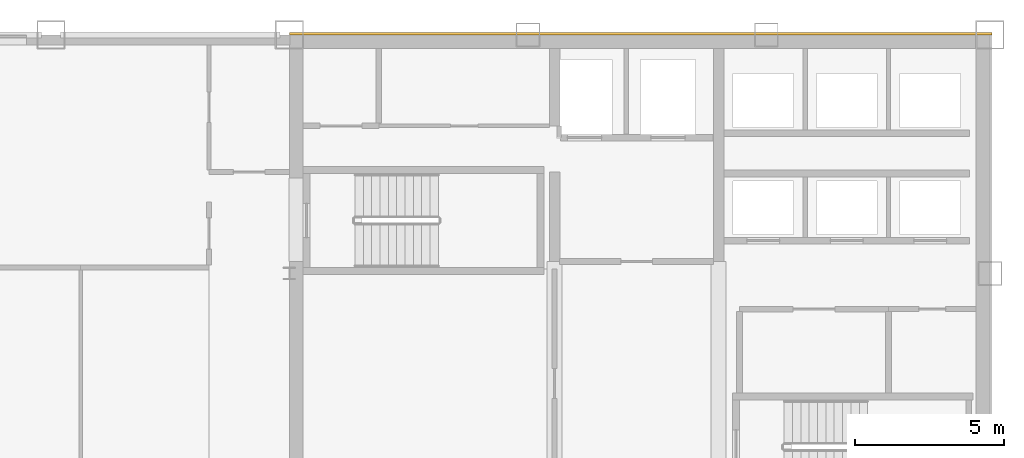
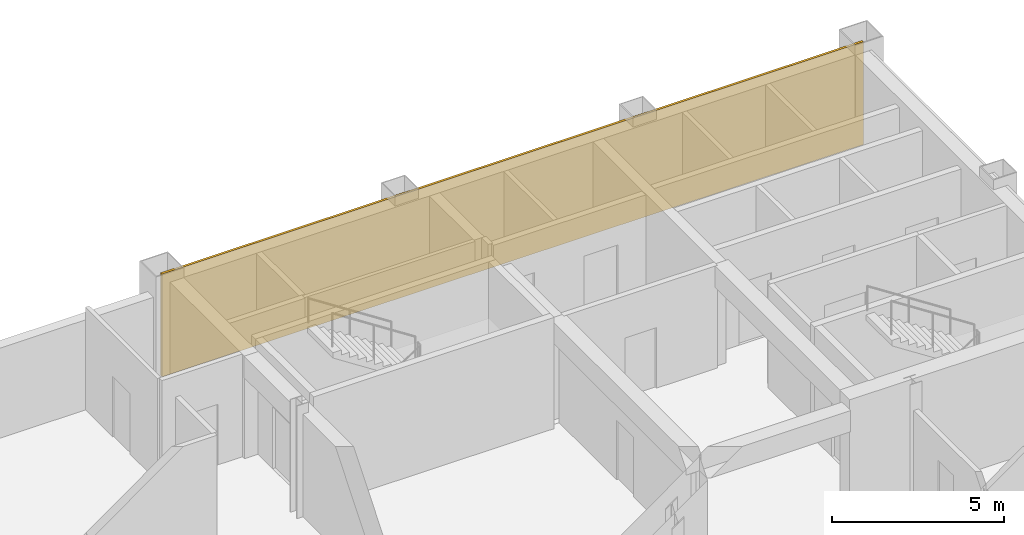
# One storey, part 11 of 11: 1 covering.
"""IFC4 building model written with IfcOpenShell, lengths in metres."""

import ifcopenshell
import ifcopenshell.guid

model = None  # the IFC model being written
_history = None  # IfcOwnerHistory: only IFC2X3 demands one
_inside = {}  # id of a spatial element -> (the spatial element, [elements in it])
_under = {}  # id of a project, library or spatial element -> (it, [spatial elements below it])
_declared = {}  # id of a project -> (the project, [libraries it declares])
_typed = {}  # id of a type object -> (the type object, [elements of that type])
_made_of = {}  # id of a material, layer set ... -> (it, [elements and type objects made of it])


def new_model(schema):
    """Start an empty IFC model of exactly this schema.

    Asked for "IFC4X3", IfcOpenShell would pick the latest addendum, in which some entities
    have other attributes; the version numbers below select the first issue.
    IFC2X3 requires an IfcOwnerHistory on every rooted entity: one is made here for all.
    """
    global model, _history
    if schema == "IFC4X3":
        model = ifcopenshell.file(schema_version=(4, 3, 0, 0))
    else:
        model = ifcopenshell.file(schema=schema)
    _inside.clear()
    _under.clear()
    _declared.clear()
    _typed.clear()
    _made_of.clear()
    _history = None
    if model.schema == "IFC2X3":
        org = make("IfcOrganization", Name="unknown")
        user = make(
            "IfcPersonAndOrganization",
            ThePerson=make("IfcPerson", FamilyName="unknown"),
            TheOrganization=org,
        )
        app = make(
            "IfcApplication",
            ApplicationDeveloper=org,
            Version="unknown",
            ApplicationFullName="unknown",
            ApplicationIdentifier="unknown",
        )
        _history = make(
            "IfcOwnerHistory",
            OwningUser=user,
            OwningApplication=app,
            ChangeAction="ADDED",
            CreationDate=0,
        )
    return model


def make(cls, **values):
    """One entity of the class cls with the attributes given. An attribute that is None is left unset."""
    return model.create_entity(
        cls, **{name: value for name, value in values.items() if value is not None}
    )


def rooted(cls, **values):
    """An entity with a GlobalId (a new one), such as an element, a storey or a relation."""
    return make(cls, GlobalId=ifcopenshell.guid.new(), OwnerHistory=_history, **values)


def si_unit(unit_type, name, prefix=None):
    """IfcSIUnit, for example si_unit("LENGTHUNIT", "METRE", prefix="MILLI")."""
    return make("IfcSIUnit", UnitType=unit_type, Prefix=prefix, Name=name)


def assignment(units):
    """IfcUnitAssignment: the units of a project."""
    return None if units is None else make("IfcUnitAssignment", Units=units)


def point(xyz):
    """IfcCartesianPoint."""
    return None if xyz is None else make("IfcCartesianPoint", Coordinates=xyz)


def direction(xyz):
    """IfcDirection."""
    return None if xyz is None else make("IfcDirection", DirectionRatios=xyz)


def frame(location, z_axis=None, x_axis=None):
    """IfcAxis2Placement3D, a coordinate frame: its origin and axes. An axis left out is left unset."""
    return make(
        "IfcAxis2Placement3D",
        Location=point(location),
        Axis=direction(z_axis),
        RefDirection=direction(x_axis),
    )


def frame_2d(location, x_axis=None):
    """IfcAxis2Placement2D, a coordinate frame in the plane: its origin and x axis."""
    return make(
        "IfcAxis2Placement2D", Location=point(location), RefDirection=direction(x_axis)
    )


def origin():
    """The frame at (0, 0, 0) with its axes left unset."""
    return frame((0.0, 0.0, 0.0))


def origin_2d():
    """The frame at (0, 0) in the plane with its x axis left unset."""
    return frame_2d((0.0, 0.0))


def place(relative_to, where):
    """IfcLocalPlacement: puts the frame where relative to a parent placement (None: the world)."""
    return make(
        "IfcLocalPlacement", PlacementRelTo=relative_to, RelativePlacement=where
    )


def context(
    kind, dimensions, precision=None, world=None, true_north=None, identifier=None
):
    """IfcGeometricRepresentationContext, for example the 3D "Model" context."""
    return make(
        "IfcGeometricRepresentationContext",
        ContextIdentifier=identifier,
        ContextType=kind,
        CoordinateSpaceDimension=dimensions,
        Precision=precision,
        WorldCoordinateSystem=world,
        TrueNorth=true_north,
    )


def subcontext(parent, identifier, kind, view, scale=None):
    """IfcGeometricRepresentationSubContext, for example "Body" below "Model"."""
    return make(
        "IfcGeometricRepresentationSubContext",
        ContextIdentifier=identifier,
        ContextType=kind,
        ParentContext=parent,
        TargetScale=scale,
        TargetView=view,
    )


def project(units=None, contexts=None):
    """IfcProject with its units and contexts."""
    return rooted(
        "IfcProject",
        Name="project",
        RepresentationContexts=contexts,
        UnitsInContext=assignment(units),
    )


def spatial(cls, under=None, at=None, **own):
    """A site, building, storey or space (cls), placed at a placement, below another one or the project."""
    s = rooted(cls, ObjectPlacement=at, **own)
    if under is not None:
        _under.setdefault(under.id(), (under, []))[1].append(s)
    return s


def profile(cls, at=None, kind="AREA", **sizes):
    """A parametric profile (cls). Its sizes go by their IFC names, for example OverallWidth=200.0."""
    return make(cls, ProfileType=kind, Position=at, **sizes)


def rectangle(**sizes):
    """IfcRectangleProfileDef."""
    return profile("IfcRectangleProfileDef", **sizes)


def extrude(swept, where, along, depth):
    """IfcExtrudedAreaSolid: the profile swept, set in the frame where, extruded along a direction by depth."""
    return make(
        "IfcExtrudedAreaSolid",
        SweptArea=swept,
        Position=where,
        ExtrudedDirection=direction(along),
        Depth=depth,
    )


def shape(context_of_items, identifier, shape_type, items):
    """IfcShapeRepresentation: the items that make up one representation, for example the "Body"."""
    return make(
        "IfcShapeRepresentation",
        ContextOfItems=context_of_items,
        RepresentationIdentifier=identifier,
        RepresentationType=shape_type,
        Items=items,
    )


def material(Name=None, Category=None):
    """IfcMaterial."""
    return make("IfcMaterial", Name=Name, Category=Category)


def layer(
    of_material, thickness, ventilated=None, Name=None, Category=None, Priority=None
):
    """IfcMaterialLayer: one layer of a wall or slab, of a material (None: an air gap)."""
    return make(
        "IfcMaterialLayer",
        Material=of_material,
        LayerThickness=thickness,
        IsVentilated=ventilated,
        Name=Name,
        Category=Category,
        Priority=Priority,
    )


def layer_set(layers, Name=None):
    """IfcMaterialLayerSet."""
    return make("IfcMaterialLayerSet", MaterialLayers=layers, LayerSetName=Name)


def made_of(thing, what):
    """Note that an element or type object is made of a material, layer set ...; save() writes the relation."""
    if what is not None:
        _made_of.setdefault(what.id(), (what, []))[1].append(thing)
    return thing


def type_object(cls, material=None, **own):
    """A type object (cls), such as IfcWallType, which elements share."""
    return made_of(rooted(cls, **own), material)


def element(
    cls,
    number,
    at=None,
    inside=None,
    cuts=None,
    type_object=None,
    material=None,
    context=None,
    identifier="Body",
    shape_type=None,
    held_by="IfcProductDefinitionShape",
    body=None,
    shapes=None,
    **own,
):
    """One element of the class cls, such as IfcWall. Its Tag is "e" and its number.

    at: its placement. inside: the storey or other place that contains it. cuts: it is an
    opening in that element (IfcRelVoidsElement). A single representation is given by context,
    identifier, shape_type and body (its items); several are given by shapes. held_by: the class
    of the entity that holds the representations. save() writes the other relations.
    """
    e = rooted(cls, Tag="e%d" % number, ObjectPlacement=at, **own)
    if body is not None:
        shapes = [shape(context, identifier, shape_type, body)]
    if shapes is not None:
        e.Representation = make(held_by, Representations=shapes)
    if inside is not None:
        _inside.setdefault(inside.id(), (inside, []))[1].append(e)
    if cuts is not None:
        rooted(
            "IfcRelVoidsElement", RelatingBuildingElement=cuts, RelatedOpeningElement=e
        )
    if type_object is not None:
        _typed.setdefault(type_object.id(), (type_object, []))[1].append(e)
    return made_of(e, material)


def aggregate(whole, parts):
    """IfcRelAggregates: a whole, such as a stair, and the parts it consists of."""
    return rooted("IfcRelAggregates", RelatingObject=whole, RelatedObjects=parts)


def save(model, path):
    """Write the relations noted so far, then the file.

    IfcRelAggregates (storeys below a building ...), IfcRelContainedInSpatialStructure (elements
    in a storey), IfcRelDefinesByType, IfcRelAssociatesMaterial and IfcRelDeclares: one each for
    every whole, place, type object, material and project.
    """
    for whole, parts in _under.values():
        aggregate(whole, parts)
    for where, things in _inside.values():
        rooted(
            "IfcRelContainedInSpatialStructure",
            RelatedElements=things,
            RelatingStructure=where,
        )
    for kind, things in _typed.values():
        rooted("IfcRelDefinesByType", RelatedObjects=things, RelatingType=kind)
    for what, things in _made_of.values():
        rooted("IfcRelAssociatesMaterial", RelatedObjects=things, RelatingMaterial=what)
    for by, libraries in _declared.values():
        rooted("IfcRelDeclares", RelatingContext=by, RelatedDefinitions=libraries)
    model.write(path)


model = new_model("IFC4")

# Units and contexts
model_context = context("Model", 3, precision=1e-05, world=origin(), true_north=direction((0.0, 1.0)))
body_context = subcontext(model_context, "Body", "Model", "MODEL_VIEW")
ifc_project = project(units=[si_unit("LENGTHUNIT", "METRE"), si_unit("AREAUNIT", "SQUARE_METRE"), si_unit("VOLUMEUNIT", "CUBIC_METRE"), si_unit("PLANEANGLEUNIT", "RADIAN"), si_unit("MASSUNIT", "GRAM", prefix="KILO")], contexts=[model_context])

# Site, building, storey
site_placement = place(None, origin())
site = spatial("IfcSite", under=ifc_project, at=site_placement, CompositionType="ELEMENT")
building_placement = place(site_placement, origin())
building = spatial("IfcBuilding", under=site, at=building_placement, Name="Qianrong Seaharbour Tower", CompositionType="ELEMENT")
storey_placement = place(building_placement, frame((0.0, 0.0, 277.800048828125)))
storey = spatial("IfcBuildingStorey", under=building, at=storey_placement, Name="L67", CompositionType="ELEMENT", Elevation=277.800048828125)

# Covering
ifc_material = material(Name="Unitised red brick cladding on Precast concrete C45/55", Category="masonry")
ifc_layer = layer(ifc_material, 0.080078125)
ifc_layer_set = layer_set([ifc_layer], Name="Unitised red brick cladding on Precast concrete C45/55")
covering_type = type_object("IfcCoveringType", Name="COV-CLAD-RED-BRICK-80", PredefinedType="CLADDING", material=ifc_layer_set)
covering_placement = place(storey_placement, frame((52.2900390625, 52.0400390625, 0.0), z_axis=(0.0, 0.0, 1.0), x_axis=(1.0, 0.0, 0.0)))
element("IfcCovering", 1, at=covering_placement, inside=storey, type_object=covering_type, Name="L67 North Core Brick Veneer Cladding", PredefinedType="CLADDING", context=body_context, shape_type="SweptSolid", body=[
    extrude(rectangle(XDim=23.580078125, YDim=0.080078125, at=origin_2d()), origin(), (0.0, 0.0, 1.0), 3.64990234375),
])

save(model, "model.ifc")
